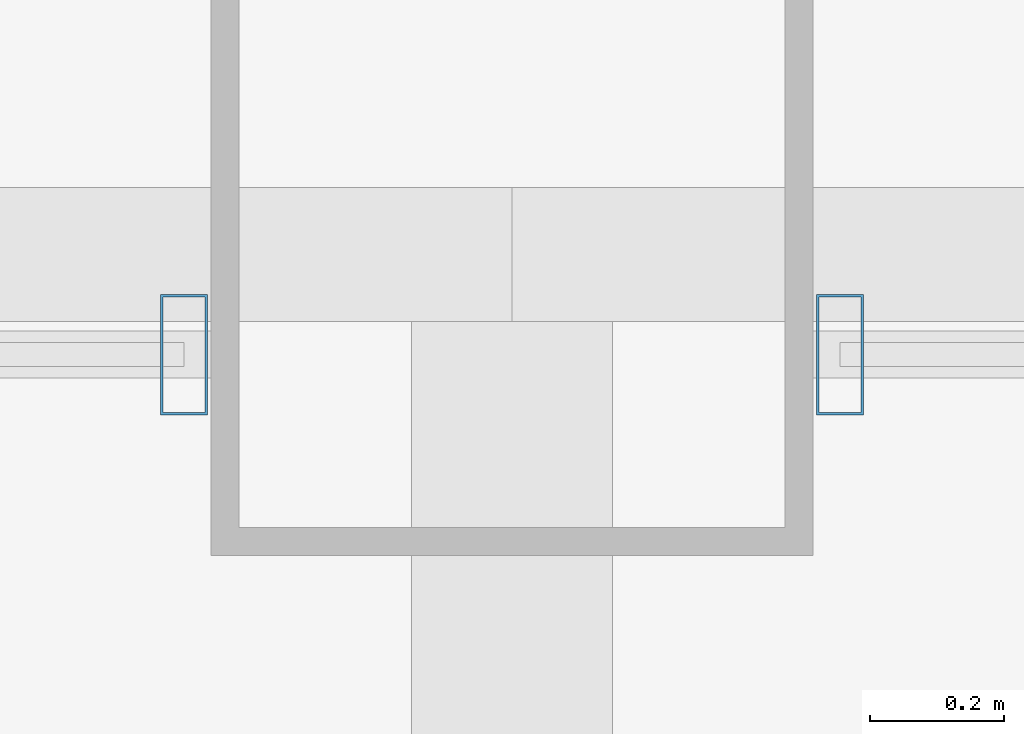
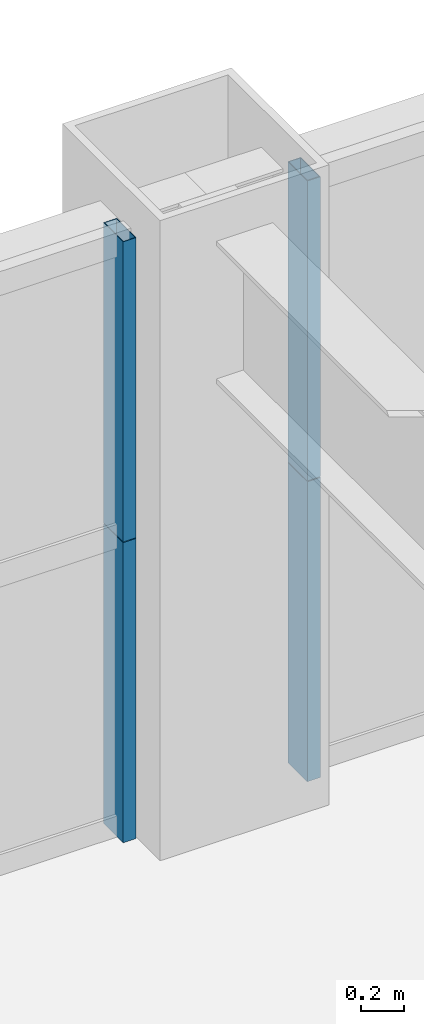
# One storey, part 30 of 43: 4 members, 2 elements without a shape of their own.
"""IFC4 building model written with IfcOpenShell, lengths in metres."""

import ifcopenshell
import ifcopenshell.guid

model = None  # the IFC model being written
_history = None  # IfcOwnerHistory: only IFC2X3 demands one
_inside = {}  # id of a spatial element -> (the spatial element, [elements in it])
_under = {}  # id of a project, library or spatial element -> (it, [spatial elements below it])
_declared = {}  # id of a project -> (the project, [libraries it declares])
_typed = {}  # id of a type object -> (the type object, [elements of that type])
_made_of = {}  # id of a material, layer set ... -> (it, [elements and type objects made of it])


def new_model(schema):
    """Start an empty IFC model of exactly this schema.

    Asked for "IFC4X3", IfcOpenShell would pick the latest addendum, in which some entities
    have other attributes; the version numbers below select the first issue.
    IFC2X3 requires an IfcOwnerHistory on every rooted entity: one is made here for all.
    """
    global model, _history
    if schema == "IFC4X3":
        model = ifcopenshell.file(schema_version=(4, 3, 0, 0))
    else:
        model = ifcopenshell.file(schema=schema)
    _inside.clear()
    _under.clear()
    _declared.clear()
    _typed.clear()
    _made_of.clear()
    _history = None
    if model.schema == "IFC2X3":
        org = make("IfcOrganization", Name="unknown")
        user = make(
            "IfcPersonAndOrganization",
            ThePerson=make("IfcPerson", FamilyName="unknown"),
            TheOrganization=org,
        )
        app = make(
            "IfcApplication",
            ApplicationDeveloper=org,
            Version="unknown",
            ApplicationFullName="unknown",
            ApplicationIdentifier="unknown",
        )
        _history = make(
            "IfcOwnerHistory",
            OwningUser=user,
            OwningApplication=app,
            ChangeAction="ADDED",
            CreationDate=0,
        )
    return model


def make(cls, **values):
    """One entity of the class cls with the attributes given. An attribute that is None is left unset."""
    return model.create_entity(
        cls, **{name: value for name, value in values.items() if value is not None}
    )


def rooted(cls, **values):
    """An entity with a GlobalId (a new one), such as an element, a storey or a relation."""
    return make(cls, GlobalId=ifcopenshell.guid.new(), OwnerHistory=_history, **values)


def si_unit(unit_type, name, prefix=None):
    """IfcSIUnit, for example si_unit("LENGTHUNIT", "METRE", prefix="MILLI")."""
    return make("IfcSIUnit", UnitType=unit_type, Prefix=prefix, Name=name)


def assignment(units):
    """IfcUnitAssignment: the units of a project."""
    return None if units is None else make("IfcUnitAssignment", Units=units)


def point(xyz):
    """IfcCartesianPoint."""
    return None if xyz is None else make("IfcCartesianPoint", Coordinates=xyz)


def direction(xyz):
    """IfcDirection."""
    return None if xyz is None else make("IfcDirection", DirectionRatios=xyz)


def frame(location, z_axis=None, x_axis=None):
    """IfcAxis2Placement3D, a coordinate frame: its origin and axes. An axis left out is left unset."""
    return make(
        "IfcAxis2Placement3D",
        Location=point(location),
        Axis=direction(z_axis),
        RefDirection=direction(x_axis),
    )


def frame_2d(location, x_axis=None):
    """IfcAxis2Placement2D, a coordinate frame in the plane: its origin and x axis."""
    return make(
        "IfcAxis2Placement2D", Location=point(location), RefDirection=direction(x_axis)
    )


def origin():
    """The frame at (0, 0, 0) with its axes left unset."""
    return frame((0.0, 0.0, 0.0))


def origin_2d():
    """The frame at (0, 0) in the plane with its x axis left unset."""
    return frame_2d((0.0, 0.0))


def place(relative_to, where):
    """IfcLocalPlacement: puts the frame where relative to a parent placement (None: the world)."""
    return make(
        "IfcLocalPlacement", PlacementRelTo=relative_to, RelativePlacement=where
    )


def context(
    kind, dimensions, precision=None, world=None, true_north=None, identifier=None
):
    """IfcGeometricRepresentationContext, for example the 3D "Model" context."""
    return make(
        "IfcGeometricRepresentationContext",
        ContextIdentifier=identifier,
        ContextType=kind,
        CoordinateSpaceDimension=dimensions,
        Precision=precision,
        WorldCoordinateSystem=world,
        TrueNorth=true_north,
    )


def subcontext(parent, identifier, kind, view, scale=None):
    """IfcGeometricRepresentationSubContext, for example "Body" below "Model"."""
    return make(
        "IfcGeometricRepresentationSubContext",
        ContextIdentifier=identifier,
        ContextType=kind,
        ParentContext=parent,
        TargetScale=scale,
        TargetView=view,
    )


def project(units=None, contexts=None):
    """IfcProject with its units and contexts."""
    return rooted(
        "IfcProject",
        Name="project",
        RepresentationContexts=contexts,
        UnitsInContext=assignment(units),
    )


def spatial(cls, under=None, at=None, **own):
    """A site, building, storey or space (cls), placed at a placement, below another one or the project."""
    s = rooted(cls, ObjectPlacement=at, **own)
    if under is not None:
        _under.setdefault(under.id(), (under, []))[1].append(s)
    return s


def profile(cls, at=None, kind="AREA", **sizes):
    """A parametric profile (cls). Its sizes go by their IFC names, for example OverallWidth=200.0."""
    return make(cls, ProfileType=kind, Position=at, **sizes)


def hollow_rectangle(**sizes):
    """IfcRectangleHollowProfileDef."""
    return profile("IfcRectangleHollowProfileDef", **sizes)


def extrude(swept, where, along, depth):
    """IfcExtrudedAreaSolid: the profile swept, set in the frame where, extruded along a direction by depth."""
    return make(
        "IfcExtrudedAreaSolid",
        SweptArea=swept,
        Position=where,
        ExtrudedDirection=direction(along),
        Depth=depth,
    )


def shape(context_of_items, identifier, shape_type, items):
    """IfcShapeRepresentation: the items that make up one representation, for example the "Body"."""
    return make(
        "IfcShapeRepresentation",
        ContextOfItems=context_of_items,
        RepresentationIdentifier=identifier,
        RepresentationType=shape_type,
        Items=items,
    )


def source(mapping_origin, context_of_items, identifier, shape_type, items):
    """IfcRepresentationMap: a shape defined once, which mapped items show again and again."""
    return make(
        "IfcRepresentationMap",
        MappingOrigin=mapping_origin,
        MappedRepresentation=shape(context_of_items, identifier, shape_type, items),
    )


def transform(
    local_origin,
    x_axis=None,
    y_axis=None,
    z_axis=None,
    scale=None,
    scale2=None,
    scale3=None,
    uniform=True,
):
    """IfcCartesianTransformationOperator3D, or its non-uniform kind. x_axis, y_axis, z_axis: its Axis1, 2, 3."""
    if uniform:
        return make(
            "IfcCartesianTransformationOperator3D",
            Axis1=direction(x_axis),
            Axis2=direction(y_axis),
            LocalOrigin=point(local_origin),
            Scale=scale,
            Axis3=direction(z_axis),
        )
    return make(
        "IfcCartesianTransformationOperator3DnonUniform",
        Axis1=direction(x_axis),
        Axis2=direction(y_axis),
        LocalOrigin=point(local_origin),
        Scale=scale,
        Axis3=direction(z_axis),
        Scale2=scale2,
        Scale3=scale3,
    )


def mapped(mapping_source, mapping_target):
    """IfcMappedItem: shows the shape of a source again, moved by a transform."""
    return make(
        "IfcMappedItem", MappingSource=mapping_source, MappingTarget=mapping_target
    )


def material(Name=None, Category=None):
    """IfcMaterial."""
    return make("IfcMaterial", Name=Name, Category=Category)


def layer(
    of_material, thickness, ventilated=None, Name=None, Category=None, Priority=None
):
    """IfcMaterialLayer: one layer of a wall or slab, of a material (None: an air gap)."""
    return make(
        "IfcMaterialLayer",
        Material=of_material,
        LayerThickness=thickness,
        IsVentilated=ventilated,
        Name=Name,
        Category=Category,
        Priority=Priority,
    )


def layer_set(layers, Name=None):
    """IfcMaterialLayerSet."""
    return make("IfcMaterialLayerSet", MaterialLayers=layers, LayerSetName=Name)


def material_profile(
    of_material, cross_section, Name=None, Category=None, Priority=None
):
    """IfcMaterialProfile: a cross section and its material."""
    return make(
        "IfcMaterialProfile",
        Name=Name,
        Material=of_material,
        Profile=cross_section,
        Priority=Priority,
        Category=Category,
    )


def profile_set(profiles, Name=None, composite=None):
    """IfcMaterialProfileSet."""
    return make(
        "IfcMaterialProfileSet",
        Name=Name,
        MaterialProfiles=profiles,
        CompositeProfile=composite,
    )


def made_of(thing, what):
    """Note that an element or type object is made of a material, layer set ...; save() writes the relation."""
    if what is not None:
        _made_of.setdefault(what.id(), (what, []))[1].append(thing)
    return thing


def type_object(cls, material=None, **own):
    """A type object (cls), such as IfcWallType, which elements share."""
    return made_of(rooted(cls, **own), material)


def element(
    cls,
    number,
    at=None,
    inside=None,
    cuts=None,
    type_object=None,
    material=None,
    context=None,
    identifier="Body",
    shape_type=None,
    held_by="IfcProductDefinitionShape",
    body=None,
    shapes=None,
    **own,
):
    """One element of the class cls, such as IfcWall. Its Tag is "e" and its number.

    at: its placement. inside: the storey or other place that contains it. cuts: it is an
    opening in that element (IfcRelVoidsElement). A single representation is given by context,
    identifier, shape_type and body (its items); several are given by shapes. held_by: the class
    of the entity that holds the representations. save() writes the other relations.
    """
    e = rooted(cls, Tag="e%d" % number, ObjectPlacement=at, **own)
    if body is not None:
        shapes = [shape(context, identifier, shape_type, body)]
    if shapes is not None:
        e.Representation = make(held_by, Representations=shapes)
    if inside is not None:
        _inside.setdefault(inside.id(), (inside, []))[1].append(e)
    if cuts is not None:
        rooted(
            "IfcRelVoidsElement", RelatingBuildingElement=cuts, RelatedOpeningElement=e
        )
    if type_object is not None:
        _typed.setdefault(type_object.id(), (type_object, []))[1].append(e)
    return made_of(e, material)


def aggregate(whole, parts):
    """IfcRelAggregates: a whole, such as a stair, and the parts it consists of."""
    return rooted("IfcRelAggregates", RelatingObject=whole, RelatedObjects=parts)


def save(model, path):
    """Write the relations noted so far, then the file.

    IfcRelAggregates (storeys below a building ...), IfcRelContainedInSpatialStructure (elements
    in a storey), IfcRelDefinesByType, IfcRelAssociatesMaterial and IfcRelDeclares: one each for
    every whole, place, type object, material and project.
    """
    for whole, parts in _under.values():
        aggregate(whole, parts)
    for where, things in _inside.values():
        rooted(
            "IfcRelContainedInSpatialStructure",
            RelatedElements=things,
            RelatingStructure=where,
        )
    for kind, things in _typed.values():
        rooted("IfcRelDefinesByType", RelatedObjects=things, RelatingType=kind)
    for what, things in _made_of.values():
        rooted("IfcRelAssociatesMaterial", RelatedObjects=things, RelatingMaterial=what)
    for by, libraries in _declared.values():
        rooted("IfcRelDeclares", RelatingContext=by, RelatedDefinitions=libraries)
    model.write(path)


model = new_model("IFC4")

# Units and contexts
model_context = context("Model", 3, precision=1e-05, world=origin(), true_north=direction((0.0, 1.0)))
body_context = subcontext(model_context, "Body", "Model", "MODEL_VIEW")
ifc_project = project(units=[si_unit("LENGTHUNIT", "METRE"), si_unit("AREAUNIT", "SQUARE_METRE"), si_unit("VOLUMEUNIT", "CUBIC_METRE"), si_unit("PLANEANGLEUNIT", "RADIAN"), si_unit("MASSUNIT", "GRAM", prefix="KILO"), si_unit("THERMODYNAMICTEMPERATUREUNIT", "KELVIN"), si_unit("POWERUNIT", "WATT")], contexts=[model_context])

# Site, building, storey
site_placement = place(None, origin())
site = spatial("IfcSite", under=ifc_project, at=site_placement, CompositionType="ELEMENT")
building_placement = place(site_placement, origin())
building = spatial("IfcBuilding", under=site, at=building_placement, Name="Yuzanri Waterfront Tower", CompositionType="ELEMENT")
storey_placement = place(building_placement, frame((0.0, 0.0, 60.39990234375)))
storey = spatial("IfcBuildingStorey", under=building, at=storey_placement, Name="L15", CompositionType="ELEMENT", Elevation=60.39990234375)

# Curtain wall, members
ifc_material_1 = material(Name="Anodized Architectural Bronze", Category="metal")
ifc_layer = layer(ifc_material_1, 0.159912109375)
ifc_layer_set = layer_set([ifc_layer], Name="Anodized Architectural Bronze")
curtain_wall_type = type_object("IfcCurtainWallType", Name="Anodized Bronze Hotel Lower-Tier Recessed Unitized Curtain Wall 8100", PredefinedType="NOTDEFINED", material=ifc_layer_set)
curtain_wall_1_placement = place(storey_placement, origin())
curtain_wall_1 = element("IfcCurtainWall", 1, at=curtain_wall_1_placement, inside=storey, type_object=curtain_wall_type, Name="L15 Curtain Wall CW-L15-NL", PredefinedType="NOTDEFINED")
ifc_material_2 = material(Name="Anodized Architectural Bronze", Category="metal")
ifc_material_profile = material_profile(ifc_material_2, hollow_rectangle(XDim=0.070068359375, YDim=0.179931640625, WallThickness=0.00390625, at=origin_2d()), Name="CWM 70x180")
ifc_profile_set = profile_set([ifc_material_profile], Name="Anodized Architectural Bronze")
member_type = type_object("IfcMemberType", Name="Anodized Bronze Standard Curtain-Wall Mullion 70x180", PredefinedType="MULLION", material=ifc_profile_set)
shared_shape = source(origin(), body_context, "Body", "SweptSolid", [
    extrude(hollow_rectangle(XDim=0.070068359375, YDim=0.179931640625, WallThickness=0.00390625, at=origin_2d()), origin(), (0.0, 0.0, 1.0), 1.68798828125),
])
member_1_placement = place(storey_placement, frame((36.510009765625, 50.75, 0.0), z_axis=(0.0, 0.0, 1.0), x_axis=(1.0, 0.0, 0.0)))
member_1 = element("IfcMember", 2, at=member_1_placement, type_object=member_type, Name="CW-L15-NL Lower Mullion 02", PredefinedType="MULLION", context=body_context, shape_type="MappedRepresentation", body=[
    mapped(shared_shape, transform((0.0, 0.0, 0.0), scale=1.0)),
])
member_2_placement = place(storey_placement, frame((36.510009765625, 50.75, 1.692138671875), z_axis=(0.0, 0.0, 1.0), x_axis=(1.0, 0.0, 0.0)))
member_2 = element("IfcMember", 3, at=member_2_placement, type_object=member_type, Name="CW-L15-NL Upper Mullion 02", PredefinedType="MULLION", context=body_context, shape_type="MappedRepresentation", body=[
    mapped(shared_shape, transform((0.0, 0.0, 0.0), scale=1.0)),
])
aggregate(curtain_wall_1, [member_1, member_2])

curtain_wall_2_placement = place(storey_placement, origin())
curtain_wall_2 = element("IfcCurtainWall", 4, at=curtain_wall_2_placement, inside=storey, type_object=curtain_wall_type, Name="L15 Curtain Wall CW-L15-NR", PredefinedType="NOTDEFINED")
member_3_placement = place(storey_placement, frame((37.489990234375, 50.75, 0.0), z_axis=(0.0, 0.0, 1.0), x_axis=(1.0, 0.0, 0.0)))
member_3 = element("IfcMember", 5, at=member_3_placement, type_object=member_type, Name="CW-L15-NR Lower Mullion 00", PredefinedType="MULLION", context=body_context, shape_type="MappedRepresentation", body=[
    mapped(shared_shape, transform((0.0, 0.0, 0.0), scale=1.0)),
])
member_4_placement = place(storey_placement, frame((37.489990234375, 50.75, 1.692138671875), z_axis=(0.0, 0.0, 1.0), x_axis=(1.0, 0.0, 0.0)))
member_4 = element("IfcMember", 6, at=member_4_placement, type_object=member_type, Name="CW-L15-NR Upper Mullion 00", PredefinedType="MULLION", context=body_context, shape_type="MappedRepresentation", body=[
    mapped(shared_shape, transform((0.0, 0.0, 0.0), scale=1.0)),
])
aggregate(curtain_wall_2, [member_3, member_4])

save(model, "model.ifc")
